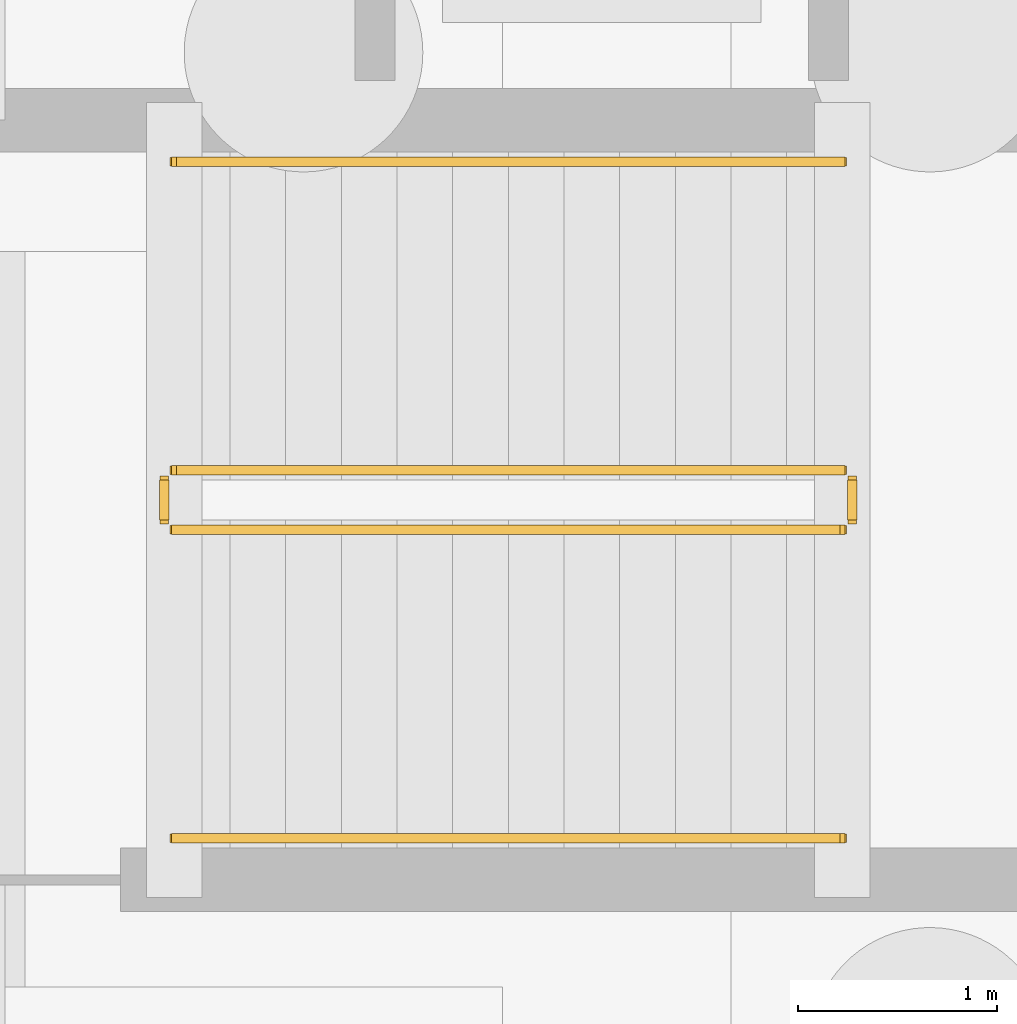
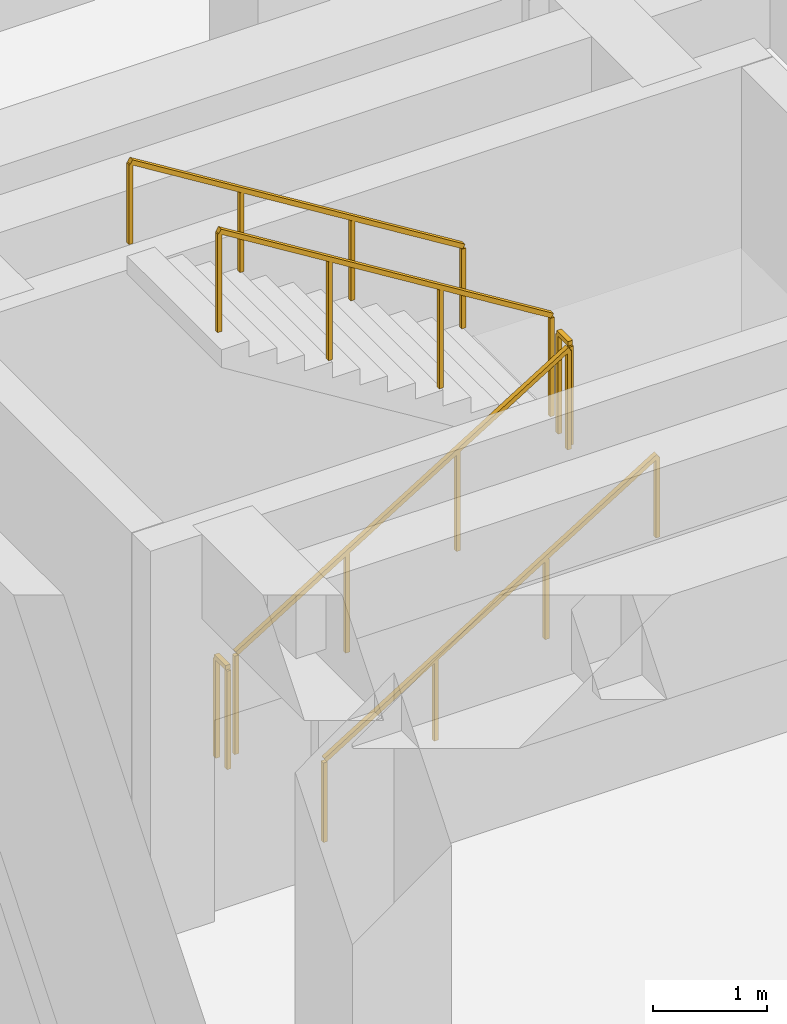
# One storey, part 14 of 15: 6 railings.
"""IFC4 building model written with IfcOpenShell, lengths in metres."""

from ifc_helpers import new_model, si_unit, direction, frame, origin, origin_2d, place, context, subcontext, project, spatial, rectangle, extrude, material, type_object, element, save


model = new_model("IFC4")

# Units and contexts
model_context = context("Model", 3, precision=1e-05, world=origin(), true_north=direction((0.0, 1.0)))
body_context = subcontext(model_context, "Body", "Model", "MODEL_VIEW")
ifc_project = project(units=[si_unit("LENGTHUNIT", "METRE"), si_unit("AREAUNIT", "SQUARE_METRE"), si_unit("VOLUMEUNIT", "CUBIC_METRE"), si_unit("PLANEANGLEUNIT", "RADIAN"), si_unit("MASSUNIT", "GRAM", prefix="KILO")], contexts=[model_context])

# Site, building, storey
site_placement = place(None, origin())
site = spatial("IfcSite", under=ifc_project, at=site_placement, CompositionType="ELEMENT")
building_placement = place(site_placement, origin())
building = spatial("IfcBuilding", under=site, at=building_placement, Name="Korentha Bioscience Tower", CompositionType="ELEMENT")
storey_placement = place(building_placement, frame((0.0, 0.0, -9.0)))
storey = spatial("IfcBuildingStorey", under=building, at=storey_placement, Name="B2", CompositionType="ELEMENT", Elevation=-9.0)

# Railings
ifc_material_1 = material(Name="Stainless Steel 304", Category="steel")
railing_type_1 = type_object("IfcRailingType", Name="Brushed Stainless Stair Handrail 900", PredefinedType="HANDRAIL", material=ifc_material_1)
railing_1_placement = place(storey_placement, frame((67.64990234375, 38.449951171875, 0.173095703125)))
element("IfcRailing", 1, at=railing_1_placement, inside=storey, type_object=railing_type_1, Name="B2 ST-T2 stair handrail 1", PredefinedType="HANDRAIL", context=body_context, shape_type="SweptSolid", body=[
    extrude(rectangle(XDim=0.048095703125, YDim=0.048095703125, at=origin_2d()), frame((0.0, 0.0, 0.8759765625), z_axis=(0.850623216509, 0.0, 0.525775754039), x_axis=(0.0, 1.0, 0.0)), (0.0, 0.0, 1.0), 3.9501953125),
    extrude(rectangle(XDim=0.0419921875, YDim=0.0419921875, at=origin_2d()), origin(), (0.0, 0.0, 1.0), 0.851806640625),
    extrude(rectangle(XDim=0.0419921875, YDim=0.0419921875, at=origin_2d()), frame((1.1201171875, 0.0, 0.6923828125)), (0.0, 0.0, 1.0), 0.851806640625),
    extrude(rectangle(XDim=0.0419921875, YDim=0.0419921875, at=origin_2d()), frame((2.239990234375, 0.0, 1.384521484375)), (0.0, 0.0, 1.0), 0.851806640625),
    extrude(rectangle(XDim=0.0419921875, YDim=0.0419921875, at=origin_2d()), frame((3.360107421875, 0.0, 2.076904296875)), (0.0, 0.0, 1.0), 0.851806640625),
])
railing_2_placement = place(storey_placement, frame((71.010009765625, 41.85009765625, 2.423095703125)))
element("IfcRailing", 2, at=railing_2_placement, inside=storey, type_object=railing_type_1, Name="B2 ST-T2 stair handrail 2", PredefinedType="HANDRAIL", context=body_context, shape_type="SweptSolid", body=[
    extrude(rectangle(XDim=0.048095703125, YDim=0.048095703125, at=origin_2d()), frame((0.0, 0.0, 0.8759765625), z_axis=(-0.850623216509, 0.0, 0.525775754039), x_axis=(0.0, -1.0, 0.0)), (0.0, 0.0, 1.0), 3.9501953125),
    extrude(rectangle(XDim=0.0419921875, YDim=0.0419921875, at=origin_2d()), origin(), (0.0, 0.0, 1.0), 0.851806640625),
    extrude(rectangle(XDim=0.0419921875, YDim=0.0419921875, at=origin_2d()), frame((-1.1201171875, 0.0, 0.6923828125)), (0.0, 0.0, 1.0), 0.851806640625),
    extrude(rectangle(XDim=0.0419921875, YDim=0.0419921875, at=origin_2d()), frame((-2.239990234375, 0.0, 1.384521484375)), (0.0, 0.0, 1.0), 0.851806640625),
    extrude(rectangle(XDim=0.0419921875, YDim=0.0419921875, at=origin_2d()), frame((-3.360107421875, 0.0, 2.076904296875)), (0.0, 0.0, 1.0), 0.851806640625),
])
ifc_material_2 = material(Name="Painted Steel S275", Category="steel")
railing_type_2 = type_object("IfcRailingType", Name="Painted Steel Stair Well Guardrail 1100", PredefinedType="GUARDRAIL", material=ifc_material_2)
railing_3_placement = place(storey_placement, frame((67.64990234375, 40.0, 0.173095703125)))
element("IfcRailing", 3, at=railing_3_placement, inside=storey, type_object=railing_type_2, Name="B2 ST-T2 stair guard 1", PredefinedType="GUARDRAIL", context=body_context, shape_type="SweptSolid", body=[
    extrude(rectangle(XDim=0.048095703125, YDim=0.048095703125, at=origin_2d()), frame((0.0, 0.0, 1.076171875), z_axis=(0.850623216509, 0.0, 0.525775754039), x_axis=(0.0, 1.0, 0.0)), (0.0, 0.0, 1.0), 3.9501953125),
    extrude(rectangle(XDim=0.0419921875, YDim=0.0419921875, at=origin_2d()), origin(), (0.0, 0.0, 1.0), 1.052001953125),
    extrude(rectangle(XDim=0.0419921875, YDim=0.0419921875, at=origin_2d()), frame((1.1201171875, 0.0, 0.6923828125)), (0.0, 0.0, 1.0), 1.052001953125),
    extrude(rectangle(XDim=0.0419921875, YDim=0.0419921875, at=origin_2d()), frame((2.239990234375, 0.0, 1.384521484375)), (0.0, 0.0, 1.0), 1.052001953125),
    extrude(rectangle(XDim=0.0419921875, YDim=0.0419921875, at=origin_2d()), frame((3.360107421875, 0.0, 2.076904296875)), (0.0, 0.0, 1.0), 1.052001953125),
])
railing_4_placement = place(storey_placement, frame((71.06005859375, 40.050048828125, 2.25)))
element("IfcRailing", 4, at=railing_4_placement, inside=storey, type_object=railing_type_2, Name="B2 ST-T2 stair guard 2", PredefinedType="GUARDRAIL", context=body_context, shape_type="SweptSolid", body=[
    extrude(rectangle(XDim=0.048095703125, YDim=0.048095703125, at=origin_2d()), frame((0.0, 0.0, 1.076171875), z_axis=(0.0, 1.0, 0.0), x_axis=(-1.0, 0.0, 0.0)), (0.0, 0.0, 1.0), 0.199951171875),
    extrude(rectangle(XDim=0.0419921875, YDim=0.0419921875, at=origin_2d()), origin(), (0.0, 0.0, 1.0), 1.052001953125),
    extrude(rectangle(XDim=0.0419921875, YDim=0.0419921875, at=origin_2d()), frame((0.0, 0.199951171875, 0.0)), (0.0, 0.0, 1.0), 1.052001953125),
])
railing_5_placement = place(storey_placement, frame((71.010009765625, 40.300048828125, 2.423095703125)))
element("IfcRailing", 5, at=railing_5_placement, inside=storey, type_object=railing_type_2, Name="B2 ST-T2 stair guard 3", PredefinedType="GUARDRAIL", context=body_context, shape_type="SweptSolid", body=[
    extrude(rectangle(XDim=0.048095703125, YDim=0.048095703125, at=origin_2d()), frame((0.0, 0.0, 1.076171875), z_axis=(-0.850623216509, 0.0, 0.525775754039), x_axis=(0.0, -1.0, 0.0)), (0.0, 0.0, 1.0), 3.9501953125),
    extrude(rectangle(XDim=0.0419921875, YDim=0.0419921875, at=origin_2d()), origin(), (0.0, 0.0, 1.0), 1.052001953125),
    extrude(rectangle(XDim=0.0419921875, YDim=0.0419921875, at=origin_2d()), frame((-1.1201171875, 0.0, 0.6923828125)), (0.0, 0.0, 1.0), 1.052001953125),
    extrude(rectangle(XDim=0.0419921875, YDim=0.0419921875, at=origin_2d()), frame((-2.239990234375, 0.0, 1.384521484375)), (0.0, 0.0, 1.0), 1.052001953125),
    extrude(rectangle(XDim=0.0419921875, YDim=0.0419921875, at=origin_2d()), frame((-3.360107421875, 0.0, 2.076904296875)), (0.0, 0.0, 1.0), 1.052001953125),
])
railing_6_placement = place(storey_placement, frame((67.60009765625, 40.050048828125, 0.0)))
element("IfcRailing", 6, at=railing_6_placement, inside=storey, type_object=railing_type_2, Name="B2 ST-T2 stair guard 4", PredefinedType="GUARDRAIL", context=body_context, shape_type="SweptSolid", body=[
    extrude(rectangle(XDim=0.048095703125, YDim=0.048095703125, at=origin_2d()), frame((0.0, 0.0, 1.076171875), z_axis=(0.0, 1.0, 0.0), x_axis=(-1.0, 0.0, 0.0)), (0.0, 0.0, 1.0), 0.199951171875),
    extrude(rectangle(XDim=0.0419921875, YDim=0.0419921875, at=origin_2d()), origin(), (0.0, 0.0, 1.0), 1.052001953125),
    extrude(rectangle(XDim=0.0419921875, YDim=0.0419921875, at=origin_2d()), frame((0.0, 0.199951171875, 0.0)), (0.0, 0.0, 1.0), 1.052001953125),
])

save(model, "model.ifc")
